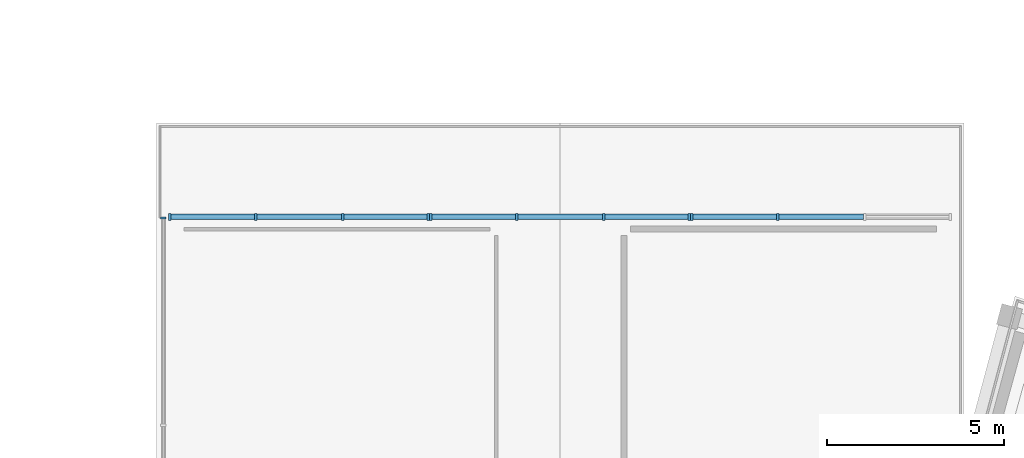
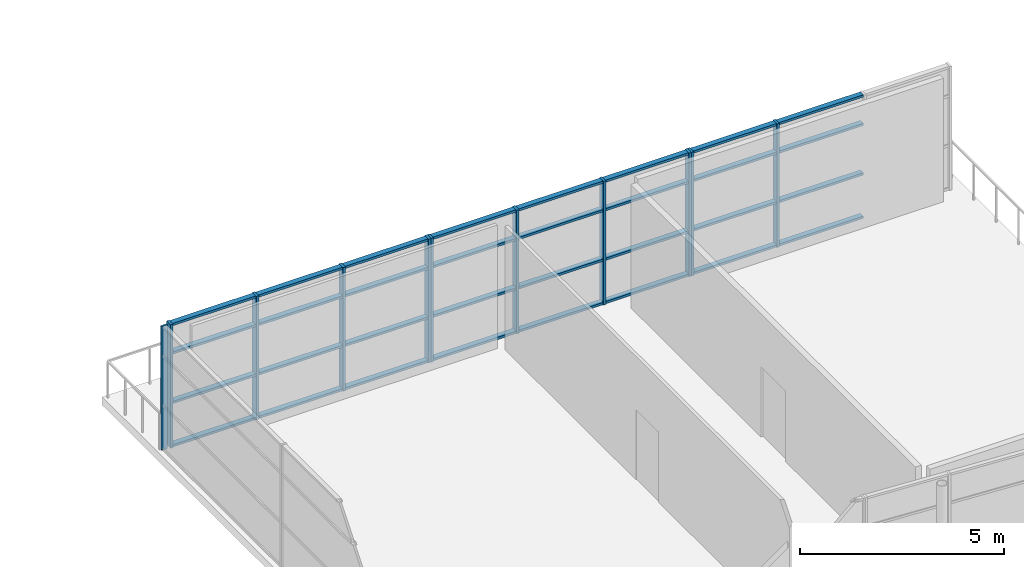
# One storey, part 41 of 83: 43 members, 4 elements without a shape of their own.
"""IFC4 building model written with IfcOpenShell, lengths in metres."""

from ifc_helpers import new_model, si_unit, direction, frame, origin, origin_2d, place, context, subcontext, project, spatial, rectangle, extrude, material, material_profile, profile_set, type_object, element, aggregate, save


model = new_model("IFC4")

# Units and contexts
model_context = context("Model", 3, precision=1e-05, world=origin(), true_north=direction((0.0, 1.0)))
body_context = subcontext(model_context, "Body", "Model", "MODEL_VIEW")
ifc_project = project(units=[si_unit("LENGTHUNIT", "METRE"), si_unit("AREAUNIT", "SQUARE_METRE"), si_unit("VOLUMEUNIT", "CUBIC_METRE"), si_unit("PLANEANGLEUNIT", "RADIAN"), si_unit("MASSUNIT", "GRAM", prefix="KILO")], contexts=[model_context])

# Site, building, storey
site_placement = place(None, origin())
site = spatial("IfcSite", under=ifc_project, at=site_placement, CompositionType="ELEMENT")
building_placement = place(site_placement, origin())
building = spatial("IfcBuilding", under=site, at=building_placement, Name="Saryqyr Civic Hall", CompositionType="ELEMENT")
storey_placement = place(building_placement, frame((0.0, 0.0, 9.14990234375)))
storey = spatial("IfcBuildingStorey", under=building, at=storey_placement, Name="L02", CompositionType="ELEMENT", Elevation=9.14990234375)

# Curtain wall, member
ifc_material_1 = material(Name="Anodised aluminium and triple low-E glass", Category="aluminium")
curtain_wall_type_1 = type_object("IfcCurtainWallType", Name="ENV-CW-STD-72", PredefinedType="NOTDEFINED", material=ifc_material_1)
curtain_wall_1_placement = place(storey_placement, origin())
curtain_wall_1 = element("IfcCurtainWall", 1, at=curtain_wall_1_placement, inside=storey, type_object=curtain_wall_type_1, Name="Curtain wall V2-VESTFLK-NW-L02", PredefinedType="NOTDEFINED")
ifc_material_2 = material(Name="Anodised aluminium", Category="aluminium")
ifc_material_profile_1 = material_profile(ifc_material_2, rectangle(XDim=0.06005859375, YDim=0.159912109375, at=origin_2d()), Name="ALU MULLION 60x160")
ifc_profile_set_1 = profile_set([ifc_material_profile_1], Name="Anodised aluminium")
member_type_1 = type_object("IfcMemberType", Name="ENV-CW-MUL-180", PredefinedType="MULLION", material=ifc_profile_set_1)
member_1_placement = place(storey_placement, frame((45.800048828125, 134.1201171875, 0.0), z_axis=(0.0, 0.0, 1.0), x_axis=(0.0, 1.0, 0.0)))
member_1 = element("IfcMember", 2, at=member_1_placement, type_object=member_type_1, Name="CW-72 mullion 4", PredefinedType="MULLION", context=body_context, shape_type="SweptSolid", body=[
    extrude(rectangle(XDim=0.06005859375, YDim=0.159912109375, at=origin_2d()), origin(), (0.0, 0.0, 1.0), 3.7001953125),
])
aggregate(curtain_wall_1, [member_1])

# Curtain wall, members
curtain_wall_type_2 = type_object("IfcCurtainWallType", Name="ENV-CW-HVY-69", PredefinedType="NOTDEFINED", material=ifc_material_1)
curtain_wall_2_placement = place(storey_placement, origin())
curtain_wall_2 = element("IfcCurtainWall", 3, at=curtain_wall_2_placement, inside=storey, type_object=curtain_wall_type_2, Name="Curtain wall V2-PORTAL-CW-N-L02-0", PredefinedType="NOTDEFINED")
ifc_material_profile_2 = material_profile(ifc_material_2, rectangle(XDim=0.070068359375, YDim=0.199951171875, at=origin_2d()), Name="ALU MULLION 70x200")
ifc_profile_set_2 = profile_set([ifc_material_profile_2], Name="Anodised aluminium")
member_type_2 = type_object("IfcMemberType", Name="ENV-CW-MUL-220", PredefinedType="MULLION", material=ifc_profile_set_2)
member_2_placement = place(storey_placement, frame((45.985107421875, 134.14990234375, 0.0), z_axis=(0.0, 0.0, 1.0), x_axis=(1.0, 0.0, 0.0)))
member_2 = element("IfcMember", 4, at=member_2_placement, type_object=member_type_2, Name="CW-69 mullion 1", PredefinedType="MULLION", context=body_context, shape_type="SweptSolid", body=[
    extrude(rectangle(XDim=0.070068359375, YDim=0.199951171875, at=origin_2d()), origin(), (0.0, 0.0, 1.0), 3.7001953125),
])
member_3_placement = place(storey_placement, frame((48.405517578125, 134.14990234375, 0.0), z_axis=(0.0, 0.0, 1.0), x_axis=(1.0, 0.0, 0.0)))
member_3 = element("IfcMember", 5, at=member_3_placement, type_object=member_type_2, Name="CW-69 mullion 2", PredefinedType="MULLION", context=body_context, shape_type="SweptSolid", body=[
    extrude(rectangle(XDim=0.070068359375, YDim=0.199951171875, at=origin_2d()), origin(), (0.0, 0.0, 1.0), 3.7001953125),
])
member_4_placement = place(storey_placement, frame((50.861083984375, 134.14990234375, 0.0), z_axis=(0.0, 0.0, 1.0), x_axis=(1.0, 0.0, 0.0)))
member_4 = element("IfcMember", 6, at=member_4_placement, type_object=member_type_2, Name="CW-69 mullion 3", PredefinedType="MULLION", context=body_context, shape_type="SweptSolid", body=[
    extrude(rectangle(XDim=0.070068359375, YDim=0.199951171875, at=origin_2d()), origin(), (0.0, 0.0, 1.0), 3.7001953125),
])
member_5_placement = place(storey_placement, frame((53.28173828125, 134.14990234375, 0.0), z_axis=(0.0, 0.0, 1.0), x_axis=(1.0, 0.0, 0.0)))
member_5 = element("IfcMember", 7, at=member_5_placement, type_object=member_type_2, Name="CW-69 mullion 4", PredefinedType="MULLION", context=body_context, shape_type="SweptSolid", body=[
    extrude(rectangle(XDim=0.070068359375, YDim=0.199951171875, at=origin_2d()), origin(), (0.0, 0.0, 1.0), 3.7001953125),
])

curtain_wall_3_placement = place(storey_placement, origin())
curtain_wall_3 = element("IfcCurtainWall", 8, at=curtain_wall_3_placement, inside=storey, type_object=curtain_wall_type_2, Name="Curtain wall V2-PORTAL-CW-N-L02-1", PredefinedType="NOTDEFINED")
member_6_placement = place(storey_placement, frame((53.351806640625, 134.14990234375, 0.0), z_axis=(0.0, 0.0, 1.0), x_axis=(1.0, 0.0, 0.0)))
member_6 = element("IfcMember", 9, at=member_6_placement, type_object=member_type_2, Name="CW-69 mullion 1", PredefinedType="MULLION", context=body_context, shape_type="SweptSolid", body=[
    extrude(rectangle(XDim=0.070068359375, YDim=0.199951171875, at=origin_2d()), origin(), (0.0, 0.0, 1.0), 3.7001953125),
])
member_7_placement = place(storey_placement, frame((55.772216796875, 134.14990234375, 0.0), z_axis=(0.0, 0.0, 1.0), x_axis=(1.0, 0.0, 0.0)))
member_7 = element("IfcMember", 10, at=member_7_placement, type_object=member_type_2, Name="CW-69 mullion 2", PredefinedType="MULLION", context=body_context, shape_type="SweptSolid", body=[
    extrude(rectangle(XDim=0.070068359375, YDim=0.199951171875, at=origin_2d()), origin(), (0.0, 0.0, 1.0), 3.7001953125),
])
member_8_placement = place(storey_placement, frame((58.227783203125, 134.14990234375, 0.0), z_axis=(0.0, 0.0, 1.0), x_axis=(1.0, 0.0, 0.0)))
member_8 = element("IfcMember", 11, at=member_8_placement, type_object=member_type_2, Name="CW-69 mullion 3", PredefinedType="MULLION", context=body_context, shape_type="SweptSolid", body=[
    extrude(rectangle(XDim=0.070068359375, YDim=0.199951171875, at=origin_2d()), origin(), (0.0, 0.0, 1.0), 3.7001953125),
])
member_9_placement = place(storey_placement, frame((60.648193359375, 134.14990234375, 0.0), z_axis=(0.0, 0.0, 1.0), x_axis=(1.0, 0.0, 0.0)))
member_9 = element("IfcMember", 12, at=member_9_placement, type_object=member_type_2, Name="CW-69 mullion 4", PredefinedType="MULLION", context=body_context, shape_type="SweptSolid", body=[
    extrude(rectangle(XDim=0.070068359375, YDim=0.199951171875, at=origin_2d()), origin(), (0.0, 0.0, 1.0), 3.7001953125),
])

curtain_wall_4_placement = place(storey_placement, origin())
curtain_wall_4 = element("IfcCurtainWall", 13, at=curtain_wall_4_placement, inside=storey, type_object=curtain_wall_type_2, Name="Curtain wall V2-PORTAL-CW-N-L02-2", PredefinedType="NOTDEFINED")
member_10_placement = place(storey_placement, frame((60.71826171875, 134.14990234375, 0.0), z_axis=(0.0, 0.0, 1.0), x_axis=(1.0, 0.0, 0.0)))
member_10 = element("IfcMember", 14, at=member_10_placement, type_object=member_type_2, Name="CW-69 mullion 1", PredefinedType="MULLION", context=body_context, shape_type="SweptSolid", body=[
    extrude(rectangle(XDim=0.070068359375, YDim=0.199951171875, at=origin_2d()), origin(), (0.0, 0.0, 1.0), 3.7001953125),
])
member_11_placement = place(storey_placement, frame((63.138916015625, 134.14990234375, 0.0), z_axis=(0.0, 0.0, 1.0), x_axis=(1.0, 0.0, 0.0)))
member_11 = element("IfcMember", 15, at=member_11_placement, type_object=member_type_2, Name="CW-69 mullion 2", PredefinedType="MULLION", context=body_context, shape_type="SweptSolid", body=[
    extrude(rectangle(XDim=0.070068359375, YDim=0.199951171875, at=origin_2d()), origin(), (0.0, 0.0, 1.0), 3.7001953125),
])

# Member
ifc_material_profile_3 = material_profile(ifc_material_2, rectangle(XDim=0.14990234375, YDim=0.070068359375, at=origin_2d()), Name="ALU TRANSOM 150x70")
ifc_profile_set_3 = profile_set([ifc_material_profile_3], Name="Anodised aluminium")
member_type_3 = type_object("IfcMemberType", Name="ENV-CW-TRN-180", PredefinedType="USERDEFINED", material=ifc_profile_set_3)
member_12_placement = place(storey_placement, frame((46.02001953125, 134.14990234375, 0.03515625), z_axis=(1.0, 0.0, 0.0), x_axis=(0.0, 1.0, 0.0)))
member_12 = element("IfcMember", 16, at=member_12_placement, type_object=member_type_3, Name="CW-69 transom 1.1", ObjectType="TRANSOM", PredefinedType="USERDEFINED", context=body_context, shape_type="SweptSolid", body=[
    extrude(rectangle(XDim=0.14990234375, YDim=0.070068359375, at=origin_2d()), origin(), (0.0, 0.0, 1.0), 2.3505859375),
])

member_13_placement = place(storey_placement, frame((46.02001953125, 134.14990234375, 1.33203125), z_axis=(1.0, 0.0, 0.0), x_axis=(0.0, 1.0, 0.0)))
member_13 = element("IfcMember", 17, at=member_13_placement, type_object=member_type_3, Name="CW-69 transom 1.2", ObjectType="TRANSOM", PredefinedType="USERDEFINED", context=body_context, shape_type="SweptSolid", body=[
    extrude(rectangle(XDim=0.14990234375, YDim=0.070068359375, at=origin_2d()), origin(), (0.0, 0.0, 1.0), 2.3505859375),
])

member_14_placement = place(storey_placement, frame((46.02001953125, 134.14990234375, 2.81201171875), z_axis=(1.0, 0.0, 0.0), x_axis=(0.0, 1.0, 0.0)))
member_14 = element("IfcMember", 18, at=member_14_placement, type_object=member_type_3, Name="CW-69 transom 1.3", ObjectType="TRANSOM", PredefinedType="USERDEFINED", context=body_context, shape_type="SweptSolid", body=[
    extrude(rectangle(XDim=0.14990234375, YDim=0.070068359375, at=origin_2d()), origin(), (0.0, 0.0, 1.0), 2.3505859375),
])

member_15_placement = place(storey_placement, frame((46.02001953125, 134.14990234375, 3.6650390625), z_axis=(1.0, 0.0, 0.0), x_axis=(0.0, 1.0, 0.0)))
member_15 = element("IfcMember", 19, at=member_15_placement, type_object=member_type_3, Name="CW-69 transom 1.4", ObjectType="TRANSOM", PredefinedType="USERDEFINED", context=body_context, shape_type="SweptSolid", body=[
    extrude(rectangle(XDim=0.14990234375, YDim=0.070068359375, at=origin_2d()), origin(), (0.0, 0.0, 1.0), 2.3505859375),
])

member_16_placement = place(storey_placement, frame((48.440673828125, 134.14990234375, 0.03515625), z_axis=(1.0, 0.0, 0.0), x_axis=(0.0, 1.0, 0.0)))
member_16 = element("IfcMember", 20, at=member_16_placement, type_object=member_type_3, Name="CW-69 transom 2.1", ObjectType="TRANSOM", PredefinedType="USERDEFINED", context=body_context, shape_type="SweptSolid", body=[
    extrude(rectangle(XDim=0.14990234375, YDim=0.070068359375, at=origin_2d()), origin(), (0.0, 0.0, 1.0), 2.385498046875),
])

member_17_placement = place(storey_placement, frame((48.440673828125, 134.14990234375, 1.33203125), z_axis=(1.0, 0.0, 0.0), x_axis=(0.0, 1.0, 0.0)))
member_17 = element("IfcMember", 21, at=member_17_placement, type_object=member_type_3, Name="CW-69 transom 2.2", ObjectType="TRANSOM", PredefinedType="USERDEFINED", context=body_context, shape_type="SweptSolid", body=[
    extrude(rectangle(XDim=0.14990234375, YDim=0.070068359375, at=origin_2d()), origin(), (0.0, 0.0, 1.0), 2.385498046875),
])

member_18_placement = place(storey_placement, frame((48.440673828125, 134.14990234375, 2.81201171875), z_axis=(1.0, 0.0, 0.0), x_axis=(0.0, 1.0, 0.0)))
member_18 = element("IfcMember", 22, at=member_18_placement, type_object=member_type_3, Name="CW-69 transom 2.3", ObjectType="TRANSOM", PredefinedType="USERDEFINED", context=body_context, shape_type="SweptSolid", body=[
    extrude(rectangle(XDim=0.14990234375, YDim=0.070068359375, at=origin_2d()), origin(), (0.0, 0.0, 1.0), 2.385498046875),
])

member_19_placement = place(storey_placement, frame((48.440673828125, 134.14990234375, 3.6650390625), z_axis=(1.0, 0.0, 0.0), x_axis=(0.0, 1.0, 0.0)))
member_19 = element("IfcMember", 23, at=member_19_placement, type_object=member_type_3, Name="CW-69 transom 2.4", ObjectType="TRANSOM", PredefinedType="USERDEFINED", context=body_context, shape_type="SweptSolid", body=[
    extrude(rectangle(XDim=0.14990234375, YDim=0.070068359375, at=origin_2d()), origin(), (0.0, 0.0, 1.0), 2.385498046875),
])

member_20_placement = place(storey_placement, frame((50.896240234375, 134.14990234375, 0.03515625), z_axis=(1.0, 0.0, 0.0), x_axis=(0.0, 1.0, 0.0)))
member_20 = element("IfcMember", 24, at=member_20_placement, type_object=member_type_3, Name="CW-69 transom 3.1", ObjectType="TRANSOM", PredefinedType="USERDEFINED", context=body_context, shape_type="SweptSolid", body=[
    extrude(rectangle(XDim=0.14990234375, YDim=0.070068359375, at=origin_2d()), origin(), (0.0, 0.0, 1.0), 2.350341796875),
])

member_21_placement = place(storey_placement, frame((50.896240234375, 134.14990234375, 1.33203125), z_axis=(1.0, 0.0, 0.0), x_axis=(0.0, 1.0, 0.0)))
member_21 = element("IfcMember", 25, at=member_21_placement, type_object=member_type_3, Name="CW-69 transom 3.2", ObjectType="TRANSOM", PredefinedType="USERDEFINED", context=body_context, shape_type="SweptSolid", body=[
    extrude(rectangle(XDim=0.14990234375, YDim=0.070068359375, at=origin_2d()), origin(), (0.0, 0.0, 1.0), 2.350341796875),
])

member_22_placement = place(storey_placement, frame((50.896240234375, 134.14990234375, 2.81201171875), z_axis=(1.0, 0.0, 0.0), x_axis=(0.0, 1.0, 0.0)))
member_22 = element("IfcMember", 26, at=member_22_placement, type_object=member_type_3, Name="CW-69 transom 3.3", ObjectType="TRANSOM", PredefinedType="USERDEFINED", context=body_context, shape_type="SweptSolid", body=[
    extrude(rectangle(XDim=0.14990234375, YDim=0.070068359375, at=origin_2d()), origin(), (0.0, 0.0, 1.0), 2.350341796875),
])

member_23_placement = place(storey_placement, frame((50.896240234375, 134.14990234375, 3.6650390625), z_axis=(1.0, 0.0, 0.0), x_axis=(0.0, 1.0, 0.0)))
member_23 = element("IfcMember", 27, at=member_23_placement, type_object=member_type_3, Name="CW-69 transom 3.4", ObjectType="TRANSOM", PredefinedType="USERDEFINED", context=body_context, shape_type="SweptSolid", body=[
    extrude(rectangle(XDim=0.14990234375, YDim=0.070068359375, at=origin_2d()), origin(), (0.0, 0.0, 1.0), 2.350341796875),
])

aggregate(curtain_wall_2, [member_2, member_3, member_4, member_5, member_12, member_13, member_14, member_15, member_16, member_17, member_18, member_19, member_20, member_21, member_22, member_23])

member_24_placement = place(storey_placement, frame((53.38671875, 134.14990234375, 0.03515625), z_axis=(1.0, 0.0, 0.0), x_axis=(0.0, 1.0, 0.0)))
member_24 = element("IfcMember", 28, at=member_24_placement, type_object=member_type_3, Name="CW-69 transom 1.1", ObjectType="TRANSOM", PredefinedType="USERDEFINED", context=body_context, shape_type="SweptSolid", body=[
    extrude(rectangle(XDim=0.14990234375, YDim=0.070068359375, at=origin_2d()), origin(), (0.0, 0.0, 1.0), 2.3505859375),
])

member_25_placement = place(storey_placement, frame((53.38671875, 134.14990234375, 1.33203125), z_axis=(1.0, 0.0, 0.0), x_axis=(0.0, 1.0, 0.0)))
member_25 = element("IfcMember", 29, at=member_25_placement, type_object=member_type_3, Name="CW-69 transom 1.2", ObjectType="TRANSOM", PredefinedType="USERDEFINED", context=body_context, shape_type="SweptSolid", body=[
    extrude(rectangle(XDim=0.14990234375, YDim=0.070068359375, at=origin_2d()), origin(), (0.0, 0.0, 1.0), 2.3505859375),
])

member_26_placement = place(storey_placement, frame((53.38671875, 134.14990234375, 2.81201171875), z_axis=(1.0, 0.0, 0.0), x_axis=(0.0, 1.0, 0.0)))
member_26 = element("IfcMember", 30, at=member_26_placement, type_object=member_type_3, Name="CW-69 transom 1.3", ObjectType="TRANSOM", PredefinedType="USERDEFINED", context=body_context, shape_type="SweptSolid", body=[
    extrude(rectangle(XDim=0.14990234375, YDim=0.070068359375, at=origin_2d()), origin(), (0.0, 0.0, 1.0), 2.3505859375),
])

member_27_placement = place(storey_placement, frame((53.38671875, 134.14990234375, 3.6650390625), z_axis=(1.0, 0.0, 0.0), x_axis=(0.0, 1.0, 0.0)))
member_27 = element("IfcMember", 31, at=member_27_placement, type_object=member_type_3, Name="CW-69 transom 1.4", ObjectType="TRANSOM", PredefinedType="USERDEFINED", context=body_context, shape_type="SweptSolid", body=[
    extrude(rectangle(XDim=0.14990234375, YDim=0.070068359375, at=origin_2d()), origin(), (0.0, 0.0, 1.0), 2.3505859375),
])

member_28_placement = place(storey_placement, frame((55.80712890625, 134.14990234375, 0.03515625), z_axis=(1.0, 0.0, 0.0), x_axis=(0.0, 1.0, 0.0)))
member_28 = element("IfcMember", 32, at=member_28_placement, type_object=member_type_3, Name="CW-69 transom 2.1", ObjectType="TRANSOM", PredefinedType="USERDEFINED", context=body_context, shape_type="SweptSolid", body=[
    extrude(rectangle(XDim=0.14990234375, YDim=0.070068359375, at=origin_2d()), origin(), (0.0, 0.0, 1.0), 2.3857421875),
])

member_29_placement = place(storey_placement, frame((55.80712890625, 134.14990234375, 1.33203125), z_axis=(1.0, 0.0, 0.0), x_axis=(0.0, 1.0, 0.0)))
member_29 = element("IfcMember", 33, at=member_29_placement, type_object=member_type_3, Name="CW-69 transom 2.2", ObjectType="TRANSOM", PredefinedType="USERDEFINED", context=body_context, shape_type="SweptSolid", body=[
    extrude(rectangle(XDim=0.14990234375, YDim=0.070068359375, at=origin_2d()), origin(), (0.0, 0.0, 1.0), 2.3857421875),
])

member_30_placement = place(storey_placement, frame((55.80712890625, 134.14990234375, 2.81201171875), z_axis=(1.0, 0.0, 0.0), x_axis=(0.0, 1.0, 0.0)))
member_30 = element("IfcMember", 34, at=member_30_placement, type_object=member_type_3, Name="CW-69 transom 2.3", ObjectType="TRANSOM", PredefinedType="USERDEFINED", context=body_context, shape_type="SweptSolid", body=[
    extrude(rectangle(XDim=0.14990234375, YDim=0.070068359375, at=origin_2d()), origin(), (0.0, 0.0, 1.0), 2.3857421875),
])

member_31_placement = place(storey_placement, frame((55.80712890625, 134.14990234375, 3.6650390625), z_axis=(1.0, 0.0, 0.0), x_axis=(0.0, 1.0, 0.0)))
member_31 = element("IfcMember", 35, at=member_31_placement, type_object=member_type_3, Name="CW-69 transom 2.4", ObjectType="TRANSOM", PredefinedType="USERDEFINED", context=body_context, shape_type="SweptSolid", body=[
    extrude(rectangle(XDim=0.14990234375, YDim=0.070068359375, at=origin_2d()), origin(), (0.0, 0.0, 1.0), 2.3857421875),
])

member_32_placement = place(storey_placement, frame((58.2626953125, 134.14990234375, 0.03515625), z_axis=(1.0, 0.0, 0.0), x_axis=(0.0, 1.0, 0.0)))
member_32 = element("IfcMember", 36, at=member_32_placement, type_object=member_type_3, Name="CW-69 transom 3.1", ObjectType="TRANSOM", PredefinedType="USERDEFINED", context=body_context, shape_type="SweptSolid", body=[
    extrude(rectangle(XDim=0.14990234375, YDim=0.070068359375, at=origin_2d()), origin(), (0.0, 0.0, 1.0), 2.3505859375),
])

member_33_placement = place(storey_placement, frame((58.2626953125, 134.14990234375, 1.33203125), z_axis=(1.0, 0.0, 0.0), x_axis=(0.0, 1.0, 0.0)))
member_33 = element("IfcMember", 37, at=member_33_placement, type_object=member_type_3, Name="CW-69 transom 3.2", ObjectType="TRANSOM", PredefinedType="USERDEFINED", context=body_context, shape_type="SweptSolid", body=[
    extrude(rectangle(XDim=0.14990234375, YDim=0.070068359375, at=origin_2d()), origin(), (0.0, 0.0, 1.0), 2.3505859375),
])

member_34_placement = place(storey_placement, frame((58.2626953125, 134.14990234375, 2.81201171875), z_axis=(1.0, 0.0, 0.0), x_axis=(0.0, 1.0, 0.0)))
member_34 = element("IfcMember", 38, at=member_34_placement, type_object=member_type_3, Name="CW-69 transom 3.3", ObjectType="TRANSOM", PredefinedType="USERDEFINED", context=body_context, shape_type="SweptSolid", body=[
    extrude(rectangle(XDim=0.14990234375, YDim=0.070068359375, at=origin_2d()), origin(), (0.0, 0.0, 1.0), 2.3505859375),
])

member_35_placement = place(storey_placement, frame((58.2626953125, 134.14990234375, 3.6650390625), z_axis=(1.0, 0.0, 0.0), x_axis=(0.0, 1.0, 0.0)))
member_35 = element("IfcMember", 39, at=member_35_placement, type_object=member_type_3, Name="CW-69 transom 3.4", ObjectType="TRANSOM", PredefinedType="USERDEFINED", context=body_context, shape_type="SweptSolid", body=[
    extrude(rectangle(XDim=0.14990234375, YDim=0.070068359375, at=origin_2d()), origin(), (0.0, 0.0, 1.0), 2.3505859375),
])

aggregate(curtain_wall_3, [member_6, member_7, member_8, member_9, member_24, member_25, member_26, member_27, member_28, member_29, member_30, member_31, member_32, member_33, member_34, member_35])

member_36_placement = place(storey_placement, frame((60.75341796875, 134.14990234375, 0.03515625), z_axis=(1.0, 0.0, 0.0), x_axis=(0.0, 1.0, 0.0)))
member_36 = element("IfcMember", 40, at=member_36_placement, type_object=member_type_3, Name="CW-69 transom 1.1", ObjectType="TRANSOM", PredefinedType="USERDEFINED", context=body_context, shape_type="SweptSolid", body=[
    extrude(rectangle(XDim=0.14990234375, YDim=0.070068359375, at=origin_2d()), origin(), (0.0, 0.0, 1.0), 2.350341796875),
])

member_37_placement = place(storey_placement, frame((60.75341796875, 134.14990234375, 1.33203125), z_axis=(1.0, 0.0, 0.0), x_axis=(0.0, 1.0, 0.0)))
member_37 = element("IfcMember", 41, at=member_37_placement, type_object=member_type_3, Name="CW-69 transom 1.2", ObjectType="TRANSOM", PredefinedType="USERDEFINED", context=body_context, shape_type="SweptSolid", body=[
    extrude(rectangle(XDim=0.14990234375, YDim=0.070068359375, at=origin_2d()), origin(), (0.0, 0.0, 1.0), 2.350341796875),
])

member_38_placement = place(storey_placement, frame((60.75341796875, 134.14990234375, 2.81201171875), z_axis=(1.0, 0.0, 0.0), x_axis=(0.0, 1.0, 0.0)))
member_38 = element("IfcMember", 42, at=member_38_placement, type_object=member_type_3, Name="CW-69 transom 1.3", ObjectType="TRANSOM", PredefinedType="USERDEFINED", context=body_context, shape_type="SweptSolid", body=[
    extrude(rectangle(XDim=0.14990234375, YDim=0.070068359375, at=origin_2d()), origin(), (0.0, 0.0, 1.0), 2.350341796875),
])

member_39_placement = place(storey_placement, frame((60.75341796875, 134.14990234375, 3.6650390625), z_axis=(1.0, 0.0, 0.0), x_axis=(0.0, 1.0, 0.0)))
member_39 = element("IfcMember", 43, at=member_39_placement, type_object=member_type_3, Name="CW-69 transom 1.4", ObjectType="TRANSOM", PredefinedType="USERDEFINED", context=body_context, shape_type="SweptSolid", body=[
    extrude(rectangle(XDim=0.14990234375, YDim=0.070068359375, at=origin_2d()), origin(), (0.0, 0.0, 1.0), 2.350341796875),
])

member_40_placement = place(storey_placement, frame((63.173828125, 134.14990234375, 0.03515625), z_axis=(1.0, 0.0, 0.0), x_axis=(0.0, 1.0, 0.0)))
member_40 = element("IfcMember", 44, at=member_40_placement, type_object=member_type_3, Name="CW-69 transom 2.1", ObjectType="TRANSOM", PredefinedType="USERDEFINED", context=body_context, shape_type="SweptSolid", body=[
    extrude(rectangle(XDim=0.14990234375, YDim=0.070068359375, at=origin_2d()), origin(), (0.0, 0.0, 1.0), 2.385498046875),
])

member_41_placement = place(storey_placement, frame((63.173828125, 134.14990234375, 1.33203125), z_axis=(1.0, 0.0, 0.0), x_axis=(0.0, 1.0, 0.0)))
member_41 = element("IfcMember", 45, at=member_41_placement, type_object=member_type_3, Name="CW-69 transom 2.2", ObjectType="TRANSOM", PredefinedType="USERDEFINED", context=body_context, shape_type="SweptSolid", body=[
    extrude(rectangle(XDim=0.14990234375, YDim=0.070068359375, at=origin_2d()), origin(), (0.0, 0.0, 1.0), 2.385498046875),
])

member_42_placement = place(storey_placement, frame((63.173828125, 134.14990234375, 2.81201171875), z_axis=(1.0, 0.0, 0.0), x_axis=(0.0, 1.0, 0.0)))
member_42 = element("IfcMember", 46, at=member_42_placement, type_object=member_type_3, Name="CW-69 transom 2.3", ObjectType="TRANSOM", PredefinedType="USERDEFINED", context=body_context, shape_type="SweptSolid", body=[
    extrude(rectangle(XDim=0.14990234375, YDim=0.070068359375, at=origin_2d()), origin(), (0.0, 0.0, 1.0), 2.385498046875),
])

member_43_placement = place(storey_placement, frame((63.173828125, 134.14990234375, 3.6650390625), z_axis=(1.0, 0.0, 0.0), x_axis=(0.0, 1.0, 0.0)))
member_43 = element("IfcMember", 47, at=member_43_placement, type_object=member_type_3, Name="CW-69 transom 2.4", ObjectType="TRANSOM", PredefinedType="USERDEFINED", context=body_context, shape_type="SweptSolid", body=[
    extrude(rectangle(XDim=0.14990234375, YDim=0.070068359375, at=origin_2d()), origin(), (0.0, 0.0, 1.0), 2.385498046875),
])

aggregate(curtain_wall_4, [member_10, member_11, member_36, member_37, member_38, member_39, member_40, member_41, member_42, member_43])

save(model, "model.ifc")
